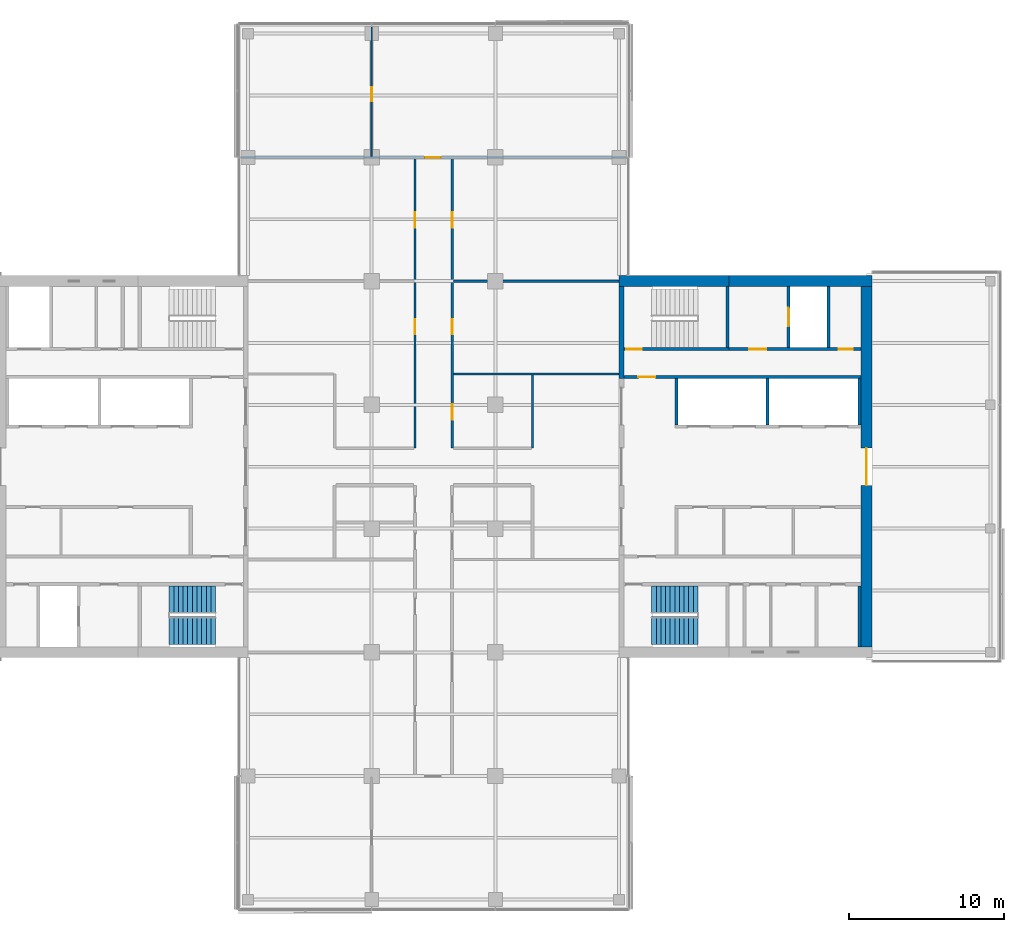
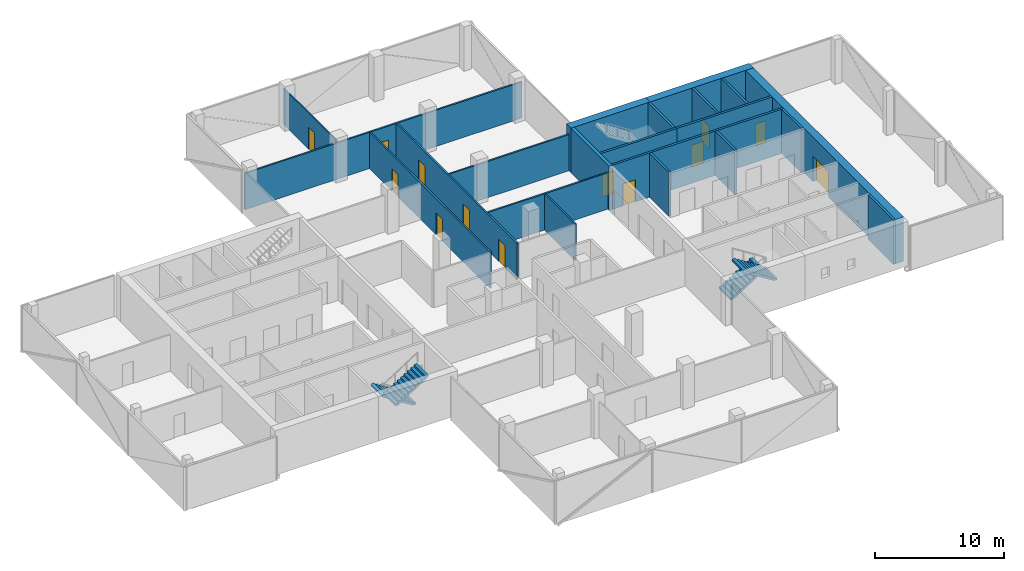
# One storey, part 16 of 22: 21 walls, 13 doors, 4 stair flights, 13 openings, 2 elements without a shape of their own.
"""IFC4 building model written with IfcOpenShell, lengths in metres."""

import ifcopenshell
import ifcopenshell.guid

model = None  # the IFC model being written
_history = None  # IfcOwnerHistory: only IFC2X3 demands one
_inside = {}  # id of a spatial element -> (the spatial element, [elements in it])
_under = {}  # id of a project, library or spatial element -> (it, [spatial elements below it])
_declared = {}  # id of a project -> (the project, [libraries it declares])
_typed = {}  # id of a type object -> (the type object, [elements of that type])
_made_of = {}  # id of a material, layer set ... -> (it, [elements and type objects made of it])


def new_model(schema):
    """Start an empty IFC model of exactly this schema.

    Asked for "IFC4X3", IfcOpenShell would pick the latest addendum, in which some entities
    have other attributes; the version numbers below select the first issue.
    IFC2X3 requires an IfcOwnerHistory on every rooted entity: one is made here for all.
    """
    global model, _history
    if schema == "IFC4X3":
        model = ifcopenshell.file(schema_version=(4, 3, 0, 0))
    else:
        model = ifcopenshell.file(schema=schema)
    _inside.clear()
    _under.clear()
    _declared.clear()
    _typed.clear()
    _made_of.clear()
    _history = None
    if model.schema == "IFC2X3":
        org = make("IfcOrganization", Name="unknown")
        user = make(
            "IfcPersonAndOrganization",
            ThePerson=make("IfcPerson", FamilyName="unknown"),
            TheOrganization=org,
        )
        app = make(
            "IfcApplication",
            ApplicationDeveloper=org,
            Version="unknown",
            ApplicationFullName="unknown",
            ApplicationIdentifier="unknown",
        )
        _history = make(
            "IfcOwnerHistory",
            OwningUser=user,
            OwningApplication=app,
            ChangeAction="ADDED",
            CreationDate=0,
        )
    return model


def make(cls, **values):
    """One entity of the class cls with the attributes given. An attribute that is None is left unset."""
    return model.create_entity(
        cls, **{name: value for name, value in values.items() if value is not None}
    )


def rooted(cls, **values):
    """An entity with a GlobalId (a new one), such as an element, a storey or a relation."""
    return make(cls, GlobalId=ifcopenshell.guid.new(), OwnerHistory=_history, **values)


def si_unit(unit_type, name, prefix=None):
    """IfcSIUnit, for example si_unit("LENGTHUNIT", "METRE", prefix="MILLI")."""
    return make("IfcSIUnit", UnitType=unit_type, Prefix=prefix, Name=name)


def assignment(units):
    """IfcUnitAssignment: the units of a project."""
    return None if units is None else make("IfcUnitAssignment", Units=units)


def point(xyz):
    """IfcCartesianPoint."""
    return None if xyz is None else make("IfcCartesianPoint", Coordinates=xyz)


def direction(xyz):
    """IfcDirection."""
    return None if xyz is None else make("IfcDirection", DirectionRatios=xyz)


def frame(location, z_axis=None, x_axis=None):
    """IfcAxis2Placement3D, a coordinate frame: its origin and axes. An axis left out is left unset."""
    return make(
        "IfcAxis2Placement3D",
        Location=point(location),
        Axis=direction(z_axis),
        RefDirection=direction(x_axis),
    )


def frame_2d(location, x_axis=None):
    """IfcAxis2Placement2D, a coordinate frame in the plane: its origin and x axis."""
    return make(
        "IfcAxis2Placement2D", Location=point(location), RefDirection=direction(x_axis)
    )


def origin():
    """The frame at (0, 0, 0) with its axes left unset."""
    return frame((0.0, 0.0, 0.0))


def place(relative_to, where):
    """IfcLocalPlacement: puts the frame where relative to a parent placement (None: the world)."""
    return make(
        "IfcLocalPlacement", PlacementRelTo=relative_to, RelativePlacement=where
    )


def context(
    kind, dimensions, precision=None, world=None, true_north=None, identifier=None
):
    """IfcGeometricRepresentationContext, for example the 3D "Model" context."""
    return make(
        "IfcGeometricRepresentationContext",
        ContextIdentifier=identifier,
        ContextType=kind,
        CoordinateSpaceDimension=dimensions,
        Precision=precision,
        WorldCoordinateSystem=world,
        TrueNorth=true_north,
    )


def subcontext(parent, identifier, kind, view, scale=None):
    """IfcGeometricRepresentationSubContext, for example "Body" below "Model"."""
    return make(
        "IfcGeometricRepresentationSubContext",
        ContextIdentifier=identifier,
        ContextType=kind,
        ParentContext=parent,
        TargetScale=scale,
        TargetView=view,
    )


def project(units=None, contexts=None):
    """IfcProject with its units and contexts."""
    return rooted(
        "IfcProject",
        Name="project",
        RepresentationContexts=contexts,
        UnitsInContext=assignment(units),
    )


def spatial(cls, under=None, at=None, **own):
    """A site, building, storey or space (cls), placed at a placement, below another one or the project."""
    s = rooted(cls, ObjectPlacement=at, **own)
    if under is not None:
        _under.setdefault(under.id(), (under, []))[1].append(s)
    return s


def polyline(points):
    """IfcPolyline through the points."""
    return make("IfcPolyline", Points=[point(p) for p in points])


def profile(cls, at=None, kind="AREA", **sizes):
    """A parametric profile (cls). Its sizes go by their IFC names, for example OverallWidth=200.0."""
    return make(cls, ProfileType=kind, Position=at, **sizes)


def rectangle(**sizes):
    """IfcRectangleProfileDef."""
    return profile("IfcRectangleProfileDef", **sizes)


def outline(outer, holes=None, kind="AREA"):
    """IfcArbitraryClosedProfileDef: a profile drawn as a closed curve; with holes, ...WithVoids."""
    if holes is None:
        return make("IfcArbitraryClosedProfileDef", ProfileType=kind, OuterCurve=outer)
    return make(
        "IfcArbitraryProfileDefWithVoids",
        ProfileType=kind,
        OuterCurve=outer,
        InnerCurves=holes,
    )


def extrude(swept, where, along, depth):
    """IfcExtrudedAreaSolid: the profile swept, set in the frame where, extruded along a direction by depth."""
    return make(
        "IfcExtrudedAreaSolid",
        SweptArea=swept,
        Position=where,
        ExtrudedDirection=direction(along),
        Depth=depth,
    )


def shape(context_of_items, identifier, shape_type, items):
    """IfcShapeRepresentation: the items that make up one representation, for example the "Body"."""
    return make(
        "IfcShapeRepresentation",
        ContextOfItems=context_of_items,
        RepresentationIdentifier=identifier,
        RepresentationType=shape_type,
        Items=items,
    )


def material(Name=None, Category=None):
    """IfcMaterial."""
    return make("IfcMaterial", Name=Name, Category=Category)


def layer(
    of_material, thickness, ventilated=None, Name=None, Category=None, Priority=None
):
    """IfcMaterialLayer: one layer of a wall or slab, of a material (None: an air gap)."""
    return make(
        "IfcMaterialLayer",
        Material=of_material,
        LayerThickness=thickness,
        IsVentilated=ventilated,
        Name=Name,
        Category=Category,
        Priority=Priority,
    )


def layer_set(layers, Name=None):
    """IfcMaterialLayerSet."""
    return make("IfcMaterialLayerSet", MaterialLayers=layers, LayerSetName=Name)


def constituent(of_material, Name=None, Category=None, fraction=None):
    """IfcMaterialConstituent: one of the materials an element consists of."""
    return make(
        "IfcMaterialConstituent",
        Name=Name,
        Material=of_material,
        Fraction=fraction,
        Category=Category,
    )


def constituent_set(constituents=None, Name=None):
    """IfcMaterialConstituentSet."""
    return make(
        "IfcMaterialConstituentSet", Name=Name, MaterialConstituents=constituents
    )


def made_of(thing, what):
    """Note that an element or type object is made of a material, layer set ...; save() writes the relation."""
    if what is not None:
        _made_of.setdefault(what.id(), (what, []))[1].append(thing)
    return thing


def type_object(cls, material=None, **own):
    """A type object (cls), such as IfcWallType, which elements share."""
    return made_of(rooted(cls, **own), material)


def element(
    cls,
    number,
    at=None,
    inside=None,
    cuts=None,
    type_object=None,
    material=None,
    context=None,
    identifier="Body",
    shape_type=None,
    held_by="IfcProductDefinitionShape",
    body=None,
    shapes=None,
    **own,
):
    """One element of the class cls, such as IfcWall. Its Tag is "e" and its number.

    at: its placement. inside: the storey or other place that contains it. cuts: it is an
    opening in that element (IfcRelVoidsElement). A single representation is given by context,
    identifier, shape_type and body (its items); several are given by shapes. held_by: the class
    of the entity that holds the representations. save() writes the other relations.
    """
    e = rooted(cls, Tag="e%d" % number, ObjectPlacement=at, **own)
    if body is not None:
        shapes = [shape(context, identifier, shape_type, body)]
    if shapes is not None:
        e.Representation = make(held_by, Representations=shapes)
    if inside is not None:
        _inside.setdefault(inside.id(), (inside, []))[1].append(e)
    if cuts is not None:
        rooted(
            "IfcRelVoidsElement", RelatingBuildingElement=cuts, RelatedOpeningElement=e
        )
    if type_object is not None:
        _typed.setdefault(type_object.id(), (type_object, []))[1].append(e)
    return made_of(e, material)


def fill(opening, filler):
    """IfcRelFillsElement: the door or window that sits in an opening."""
    return rooted(
        "IfcRelFillsElement",
        RelatingOpeningElement=opening,
        RelatedBuildingElement=filler,
    )


def aggregate(whole, parts):
    """IfcRelAggregates: a whole, such as a stair, and the parts it consists of."""
    return rooted("IfcRelAggregates", RelatingObject=whole, RelatedObjects=parts)


def save(model, path):
    """Write the relations noted so far, then the file.

    IfcRelAggregates (storeys below a building ...), IfcRelContainedInSpatialStructure (elements
    in a storey), IfcRelDefinesByType, IfcRelAssociatesMaterial and IfcRelDeclares: one each for
    every whole, place, type object, material and project.
    """
    for whole, parts in _under.values():
        aggregate(whole, parts)
    for where, things in _inside.values():
        rooted(
            "IfcRelContainedInSpatialStructure",
            RelatedElements=things,
            RelatingStructure=where,
        )
    for kind, things in _typed.values():
        rooted("IfcRelDefinesByType", RelatedObjects=things, RelatingType=kind)
    for what, things in _made_of.values():
        rooted("IfcRelAssociatesMaterial", RelatedObjects=things, RelatingMaterial=what)
    for by, libraries in _declared.values():
        rooted("IfcRelDeclares", RelatingContext=by, RelatedDefinitions=libraries)
    model.write(path)


model = new_model("IFC4")

# Units and contexts
model_context = context("Model", 3, precision=1e-05, world=origin(), true_north=direction((0.0, 1.0)))
body_context = subcontext(model_context, "Body", "Model", "MODEL_VIEW")
ifc_project = project(units=[si_unit("LENGTHUNIT", "METRE"), si_unit("AREAUNIT", "SQUARE_METRE"), si_unit("VOLUMEUNIT", "CUBIC_METRE"), si_unit("PLANEANGLEUNIT", "RADIAN"), si_unit("MASSUNIT", "GRAM", prefix="KILO")], contexts=[model_context])

# Site, building, storey
site_placement = place(None, origin())
site = spatial("IfcSite", under=ifc_project, at=site_placement, CompositionType="ELEMENT")
building_placement = place(site_placement, origin())
building = spatial("IfcBuilding", under=site, at=building_placement, Name="Crosswind Convention Tower", CompositionType="ELEMENT")
storey_placement = place(building_placement, frame((0.0, 0.0, 163.10009765625)))
storey = spatial("IfcBuildingStorey", under=building, at=storey_placement, Name="L34", CompositionType="ELEMENT", Elevation=163.10009765625)

# Wall, opening, door
ifc_material_1 = material(Name="Concrete C60/75", Category="concrete")
ifc_layer_1 = layer(ifc_material_1, 0.699951171875)
ifc_layer_set_1 = layer_set([ifc_layer_1], Name="Concrete C60/75")
wall_type_1 = type_object("IfcWallType", Name="Concrete core wall 700", PredefinedType="SHEAR", material=ifc_layer_set_1)
wall_1_placement = place(storey_placement, frame((153.0, 88.35009765625, 0.0), z_axis=(0.0, 0.0, 1.0), x_axis=(0.0, 1.0, 0.0)))
wall_1 = element("IfcWall", 1, at=wall_1_placement, inside=storey, type_object=wall_type_1, Name="Wall O E L34", PredefinedType="SHEAR", context=body_context, shape_type="SweptSolid", body=[
    extrude(rectangle(XDim=23.2998046875, YDim=0.699951171875, at=frame_2d((11.64990234375, 0.0))), origin(), (0.0, 0.0, 1.0), 4.199951171875),
])
opening_1_placement = place(wall_1_placement, frame((10.449951171875, 0.0, 0.0)))
opening_1 = element("IfcOpeningElement", 2, at=opening_1_placement, cuts=wall_1, Name="Opening D100", PredefinedType="OPENING", context=body_context, shape_type="SweptSolid", body=[
    extrude(rectangle(XDim=2.39990234375, YDim=2.39990234375, at=frame_2d((1.199951171875, 1.199951171875))), frame((0.0, 0.35986328125, 0.0), z_axis=(0.0, -1.0, 0.0), x_axis=(1.0, 0.0, 0.0)), (0.0, 0.0, 1.0), 0.719970703125),
])
ifc_material_2 = material(Name="Steel fire door with glazed vision panels", Category="steel")
door_type_1 = type_object("IfcDoorType", Name="Fire-rated double door 2400x2400", OperationType="DOUBLE_DOOR_SINGLE_SWING", PredefinedType="DOOR", material=ifc_material_2)
door_1_placement = place(opening_1_placement, frame((2.39990234375, 0.0, 0.0), z_axis=(0.0, 0.0, 1.0), x_axis=(-1.0, 0.0, 0.0)))
door_1 = element("IfcDoor", 3, at=door_1_placement, inside=storey, type_object=door_type_1, Name="Lobby outer door L34", ObjectType="D100", OperationType="DOUBLE_DOOR_SINGLE_SWING", OverallHeight=2.39990234375, OverallWidth=2.39990234375, PredefinedType="DOOR", context=body_context, shape_type="SweptSolid", body=[
    extrude(rectangle(XDim=2.39990234375, YDim=2.39990234375, at=frame_2d((1.199951171875, 1.199951171875))), frame((0.0, 0.02490234375, 0.0), z_axis=(0.0, -1.0, 0.0), x_axis=(1.0, 0.0, 0.0)), (0.0, 0.0, 1.0), 0.050048828125),
])
fill(opening_1, door_1)

# Walls
ifc_material_3 = material(Name="Concrete C50/60", Category="concrete")
ifc_layer_2 = layer(ifc_material_3, 0.300048828125)
ifc_layer_set_2 = layer_set([ifc_layer_2], Name="Concrete C50/60")
wall_type_2 = type_object("IfcWallType", Name="Concrete inner core wall 300", PredefinedType="SHEAR", material=ifc_layer_set_2)
wall_2_placement = place(storey_placement, frame((137.14990234375, 105.699951171875, 0.0), z_axis=(0.0, 0.0, 1.0), x_axis=(0.0, 1.0, 0.0)))
element("IfcWall", 4, at=wall_2_placement, inside=storey, type_object=wall_type_2, Name="Wall EP E L34", PredefinedType="SHEAR", context=body_context, shape_type="SweptSolid", body=[
    extrude(rectangle(XDim=5.949951171875, YDim=0.300048828125, at=frame_2d((2.97509765625, 0.0))), origin(), (0.0, 0.0, 1.0), 4.199951171875),
])
ifc_layer_3 = layer(ifc_material_3, 0.199951171875)
ifc_layer_set_3 = layer_set([ifc_layer_3], Name="Concrete C50/60")
wall_type_3 = type_object("IfcWallType", Name="Concrete shaft and stair wall 200", PredefinedType="SHEAR", material=ifc_layer_set_3)
for number, where, z_axis, x_axis, name in (
    (5, (140.699951171875, 102.699951171875, 0.0), (0.0, 0.0, 1.0), (0.0, 1.0, 0.0), "Wall RPEND E L34"),
    (6, (146.60009765625, 102.699951171875, 0.0), (0.0, 0.0, 1.0), (0.0, 1.0, 0.0), "Wall RPSEP E L34"),
    (7, (152.550048828125, 102.699951171875, 0.0), (0.0, 0.0, 1.0), (0.0, 1.0, 0.0), "Wall RPEAST E L34"),
):
    element("IfcWall", number, at=place(storey_placement, frame(where, z_axis=z_axis, x_axis=x_axis)), inside=storey, type_object=wall_type_3, Name=name, PredefinedType="SHEAR", context=body_context, shape_type="SweptSolid", body=[
        extrude(rectangle(XDim=3.0, YDim=0.199951171875, at=frame_2d((1.5, 0.0))), origin(), (0.0, 0.0, 1.0), 4.199951171875),
    ])

# Wall, opening, door
wall_3_placement = place(storey_placement, frame((137.300048828125, 105.800048828125, 0.0), z_axis=(0.0, 0.0, 1.0), x_axis=(1.0, 0.0, 0.0)))
wall_3 = element("IfcWall", 8, at=wall_3_placement, inside=storey, type_object=wall_type_3, Name="Wall HP E L34", PredefinedType="SHEAR", context=body_context, shape_type="SweptSolid", body=[
    extrude(rectangle(XDim=15.349853515625, YDim=0.199951171875, at=frame_2d((7.6748046875, 0.0))), origin(), (0.0, 0.0, 1.0), 4.199951171875),
])
opening_2_placement = place(wall_3_placement, frame((0.949951171875, 0.0, 0.0)))
opening_2 = element("IfcOpeningElement", 9, at=opening_2_placement, cuts=wall_3, Name="Opening D104", PredefinedType="OPENING", context=body_context, shape_type="SweptSolid", body=[
    extrude(rectangle(XDim=1.10009765625, YDim=2.10009765625, at=frame_2d((0.550048828125, 1.050048828125))), frame((0.0, 0.10986328125, 0.0), z_axis=(0.0, -1.0, 0.0), x_axis=(1.0, 0.0, 0.0)), (0.0, 0.0, 1.0), 0.219970703125),
])
ifc_material_4 = material(Name="Steel fire door", Category="steel")
door_type_2 = type_object("IfcDoorType", Name="Fire-rated single door 1100x2100", OperationType="NOTDEFINED", PredefinedType="DOOR", material=ifc_material_4)
door_2_placement = place(opening_2_placement, origin())
door_2 = element("IfcDoor", 10, at=door_2_placement, inside=storey, type_object=door_type_2, Name="Corridor door L34", ObjectType="D104", OperationType="SINGLE_SWING_LEFT", OverallHeight=2.10009765625, OverallWidth=1.10009765625, PredefinedType="DOOR", context=body_context, shape_type="SweptSolid", body=[
    extrude(rectangle(XDim=1.10009765625, YDim=2.10009765625, at=frame_2d((0.550048828125, 1.050048828125))), frame((0.0, 0.02490234375, 0.0), z_axis=(0.0, -1.0, 0.0), x_axis=(1.0, 0.0, 0.0)), (0.0, 0.0, 1.0), 0.050048828125),
])
fill(opening_2, door_2)

# Wall
wall_4_placement = place(storey_placement, frame((144.0, 107.699951171875, 0.0), z_axis=(0.0, 0.0, 1.0), x_axis=(0.0, 1.0, 0.0)))
element("IfcWall", 11, at=wall_4_placement, inside=storey, type_object=wall_type_3, Name="Wall PSE E L34", PredefinedType="SHEAR", context=body_context, shape_type="SweptSolid", body=[
    extrude(rectangle(XDim=3.949951171875, YDim=0.199951171875, at=frame_2d((1.97509765625, 0.0))), origin(), (0.0, 0.0, 1.0), 4.199951171875),
])

# Wall, opening, door
wall_5_placement = place(storey_placement, frame((147.949951171875, 107.699951171875, 0.0), z_axis=(0.0, 0.0, 1.0), x_axis=(0.0, 1.0, 0.0)))
wall_5 = element("IfcWall", 12, at=wall_5_placement, inside=storey, type_object=wall_type_3, Name="Wall PFLW E L34", PredefinedType="SHEAR", context=body_context, shape_type="SweptSolid", body=[
    extrude(rectangle(XDim=3.949951171875, YDim=0.199951171875, at=frame_2d((1.97509765625, 0.0))), origin(), (0.0, 0.0, 1.0), 4.199951171875),
])
opening_3_placement = place(wall_5_placement, frame((1.375, 0.0, 0.0)))
opening_3 = element("IfcOpeningElement", 13, at=opening_3_placement, cuts=wall_5, Name="Opening LD1", PredefinedType="OPENING", context=body_context, shape_type="SweptSolid", body=[
    extrude(rectangle(XDim=1.199951171875, YDim=2.10009765625, at=frame_2d((0.60009765625, 1.050048828125))), frame((0.0, 0.10986328125, 0.0), z_axis=(0.0, -1.0, 0.0), x_axis=(1.0, 0.0, 0.0)), (0.0, 0.0, 1.0), 0.219970703125),
])
ifc_material_5 = material(Name="Stainless steel", Category="steel")
door_type_3 = type_object("IfcDoorType", Name="Lift landing door 1200x2100", OperationType="DOUBLE_DOOR_SLIDING", PredefinedType="DOOR", material=ifc_material_5)
door_3_placement = place(opening_3_placement, origin())
door_3 = element("IfcDoor", 14, at=door_3_placement, inside=storey, type_object=door_type_3, Name="Landing door FF1 L34", ObjectType="LD1", OperationType="DOUBLE_DOOR_SLIDING", OverallHeight=2.10009765625, OverallWidth=1.199951171875, PredefinedType="DOOR", context=body_context, shape_type="SweptSolid", body=[
    extrude(rectangle(XDim=1.199951171875, YDim=2.10009765625, at=frame_2d((0.60009765625, 1.050048828125))), frame((0.0, 0.02490234375, 0.0), z_axis=(0.0, -1.0, 0.0), x_axis=(1.0, 0.0, 0.0)), (0.0, 0.0, 1.0), 0.050048828125),
])
fill(opening_3, door_3)

# Wall
wall_6_placement = place(storey_placement, frame((150.550048828125, 107.699951171875, 0.0), z_axis=(0.0, 0.0, 1.0), x_axis=(0.0, 1.0, 0.0)))
element("IfcWall", 15, at=wall_6_placement, inside=storey, type_object=wall_type_3, Name="Wall PFSE E L34", PredefinedType="SHEAR", context=body_context, shape_type="SweptSolid", body=[
    extrude(rectangle(XDim=3.949951171875, YDim=0.199951171875, at=frame_2d((1.97509765625, 0.0))), origin(), (0.0, 0.0, 1.0), 4.199951171875),
])

# Wall, opening, door
wall_7_placement = place(storey_placement, frame((137.300048828125, 107.60009765625, 0.0), z_axis=(0.0, 0.0, 1.0), x_axis=(1.0, 0.0, 0.0)))
wall_7 = element("IfcWall", 16, at=wall_7_placement, inside=storey, type_object=wall_type_3, Name="Wall PCW E L34", PredefinedType="SHEAR", context=body_context, shape_type="SweptSolid", body=[
    extrude(rectangle(XDim=6.800048828125, YDim=0.199951171875, at=frame_2d((3.39990234375, 0.0))), origin(), (0.0, 0.0, 1.0), 4.199951171875),
])
opening_4_placement = place(wall_7_placement, frame((0.14990234375, 0.0, 0.0)))
opening_4 = element("IfcOpeningElement", 17, at=opening_4_placement, cuts=wall_7, Name="Opening D103", PredefinedType="OPENING", context=body_context, shape_type="SweptSolid", body=[
    extrude(rectangle(XDim=1.0, YDim=2.10009765625, at=frame_2d((0.5, 1.050048828125))), frame((0.0, 0.10986328125, 0.0), z_axis=(0.0, -1.0, 0.0), x_axis=(1.0, 0.0, 0.0)), (0.0, 0.0, 1.0), 0.219970703125),
])
door_type_4 = type_object("IfcDoorType", Name="Fire-rated single door 1000x2100", OperationType="NOTDEFINED", PredefinedType="DOOR", material=ifc_material_4)
door_4_placement = place(opening_4_placement, origin())
door_4 = element("IfcDoor", 18, at=door_4_placement, inside=storey, type_object=door_type_4, Name="Stair ST1 door L34", ObjectType="D103", OperationType="SINGLE_SWING_LEFT", OverallHeight=2.10009765625, OverallWidth=1.0, PredefinedType="DOOR", context=body_context, shape_type="SweptSolid", body=[
    extrude(rectangle(XDim=1.0, YDim=2.10009765625, at=frame_2d((0.5, 1.050048828125))), frame((0.0, 0.02490234375, 0.0), z_axis=(0.0, -1.0, 0.0), x_axis=(1.0, 0.0, 0.0)), (0.0, 0.0, 1.0), 0.050048828125),
])
fill(opening_4, door_4)

# Wall, openings, doors
wall_8_placement = place(storey_placement, frame((144.10009765625, 107.60009765625, 0.0), z_axis=(0.0, 0.0, 1.0), x_axis=(1.0, 0.0, 0.0)))
wall_8 = element("IfcWall", 19, at=wall_8_placement, inside=storey, type_object=wall_type_3, Name="Wall PCX E L34", PredefinedType="SHEAR", context=body_context, shape_type="SweptSolid", body=[
    extrude(rectangle(XDim=8.5498046875, YDim=0.199951171875, at=frame_2d((4.27490234375, 0.0))), origin(), (0.0, 0.0, 1.0), 4.199951171875),
])
opening_5_placement = place(wall_8_placement, frame((1.324951171875, 0.0, 0.0)))
opening_5 = element("IfcOpeningElement", 20, at=opening_5_placement, cuts=wall_8, Name="Opening D104", PredefinedType="OPENING", context=body_context, shape_type="SweptSolid", body=[
    extrude(rectangle(XDim=1.10009765625, YDim=2.10009765625, at=frame_2d((0.550048828125, 1.050048828125))), frame((0.0, 0.10986328125, 0.0), z_axis=(0.0, -1.0, 0.0), x_axis=(1.0, 0.0, 0.0)), (0.0, 0.0, 1.0), 0.219970703125),
])
opening_6_placement = place(wall_8_placement, frame((7.10009765625, 0.0, 0.0)))
opening_6 = element("IfcOpeningElement", 21, at=opening_6_placement, cuts=wall_8, Name="Opening D106", PredefinedType="OPENING", context=body_context, shape_type="SweptSolid", body=[
    extrude(rectangle(XDim=0.89990234375, YDim=2.10009765625, at=frame_2d((0.449951171875, 1.050048828125))), frame((0.0, 0.10986328125, 0.0), z_axis=(0.0, -1.0, 0.0), x_axis=(1.0, 0.0, 0.0)), (0.0, 0.0, 1.0), 0.219970703125),
])
door_5_placement = place(opening_5_placement, origin())
door_5 = element("IfcDoor", 22, at=door_5_placement, inside=storey, type_object=door_type_2, Name="Fire-fighting lobby FF1 door L34", ObjectType="D104", OperationType="SINGLE_SWING_RIGHT", OverallHeight=2.10009765625, OverallWidth=1.10009765625, PredefinedType="DOOR", context=body_context, shape_type="SweptSolid", body=[
    extrude(rectangle(XDim=1.10009765625, YDim=2.10009765625, at=frame_2d((0.550048828125, 1.050048828125))), frame((0.0, 0.02490234375, 0.0), z_axis=(0.0, -1.0, 0.0), x_axis=(1.0, 0.0, 0.0)), (0.0, 0.0, 1.0), 0.050048828125),
])
fill(opening_5, door_5)
ifc_material_6 = material(Name="Timber door", Category="wood")
door_type_5 = type_object("IfcDoorType", Name="Single leaf door 900x2100", OperationType="NOTDEFINED", PredefinedType="DOOR", material=ifc_material_6)
door_6_placement = place(opening_6_placement, origin())
door_6 = element("IfcDoor", 23, at=door_6_placement, inside=storey, type_object=door_type_5, Name="Door to comms room L34", ObjectType="D106", OperationType="SINGLE_SWING_RIGHT", OverallHeight=2.10009765625, OverallWidth=0.89990234375, PredefinedType="DOOR", context=body_context, shape_type="SweptSolid", body=[
    extrude(rectangle(XDim=0.89990234375, YDim=2.10009765625, at=frame_2d((0.449951171875, 1.050048828125))), frame((0.0, 0.02490234375, 0.0), z_axis=(0.0, -1.0, 0.0), x_axis=(1.0, 0.0, 0.0)), (0.0, 0.0, 1.0), 0.050048828125),
])
fill(opening_6, door_6)

# Wall
wall_9_placement = place(storey_placement, frame((152.550048828125, 88.35009765625, 0.0), z_axis=(0.0, 0.0, 1.0), x_axis=(0.0, 1.0, 0.0)))
element("IfcWall", 24, at=wall_9_placement, inside=storey, type_object=wall_type_3, Name="Wall MFSE E L34", PredefinedType="SHEAR", context=body_context, shape_type="SweptSolid", body=[
    extrude(rectangle(XDim=3.949951171875, YDim=0.199951171875, at=frame_2d((1.97509765625, 0.0))), origin(), (0.0, 0.0, 1.0), 4.199951171875),
])

# Wall, opening, door
ifc_material_7 = material(Name="Plasterboard partition", Category="gypsum")
ifc_layer_4 = layer(ifc_material_7, 0.10009765625)
ifc_layer_set_4 = layer_set([ifc_layer_4], Name="PARTITION 100 METAL STUD")
wall_type_4 = type_object("IfcWallType", Name="PARTITION 100 METAL STUD", PredefinedType="PARTITIONING", material=ifc_layer_set_4)
wall_10_placement = place(storey_placement, frame((121.0, 120.074951171875, 0.0), z_axis=(0.0, 0.0, 1.0), x_axis=(0.0, 1.0, 0.0)))
wall_10 = element("IfcWall", 25, at=wall_10_placement, inside=storey, type_object=wall_type_4, Name="Partition wall WT40", PredefinedType="PARTITIONING", context=body_context, shape_type="SweptSolid", body=[
    extrude(rectangle(XDim=8.344970703125, YDim=0.10009765625, at=frame_2d((4.17236328125, 0.0))), origin(), (0.0, 0.0, 1.0), 3.436279296875),
])
opening_7_placement = place(wall_10_placement, frame((3.550048828125, 0.0, 0.0)))
opening_7 = element("IfcOpeningElement", 26, at=opening_7_placement, cuts=wall_10, Name="Opening L34-63", PredefinedType="OPENING", context=body_context, shape_type="SweptSolid", body=[
    extrude(rectangle(XDim=0.89990234375, YDim=2.10009765625, at=frame_2d((0.449951171875, 1.050048828125))), frame((0.0, 0.06005859375, 0.0), z_axis=(0.0, -1.0, 0.0), x_axis=(1.0, 0.0, 0.0)), (0.0, 0.0, 1.0), 0.1201171875),
])
door_type_6 = type_object("IfcDoorType", Name="INTERNAL DOOR 900X2100", OperationType="NOTDEFINED", PredefinedType="DOOR", material=ifc_material_6)
door_7_placement = place(opening_7_placement, origin())
door_7 = element("IfcDoor", 27, at=door_7_placement, inside=storey, type_object=door_type_6, Name="Door L34-63", ObjectType="D40", OperationType="SINGLE_SWING_RIGHT", OverallHeight=2.10009765625, OverallWidth=0.89990234375, PredefinedType="DOOR", context=body_context, shape_type="SweptSolid", body=[
    extrude(rectangle(XDim=0.89990234375, YDim=2.10009765625, at=frame_2d((0.449951171875, 1.050048828125))), frame((0.0, 0.02490234375, 0.0), z_axis=(0.0, -1.0, 0.0), x_axis=(1.0, 0.0, 0.0)), (0.0, 0.0, 1.0), 0.050048828125),
])
fill(opening_7, door_7)

# Wall, openings, doors
ifc_material_8 = material(Name="Fire-board partition with mineral wool", Category="gypsum")
ifc_layer_5 = layer(ifc_material_8, 0.14990234375)
ifc_layer_set_5 = layer_set([ifc_layer_5], Name="TENANCY WALL 150 TWO-HOUR BOARD")
wall_type_5 = type_object("IfcWallType", Name="TENANCY WALL 150 TWO-HOUR BOARD", PredefinedType="PARTITIONING", material=ifc_layer_set_5)
wall_11_placement = place(storey_placement, frame((123.800048828125, 101.199951171875, 0.0), z_axis=(0.0, 0.0, 1.0), x_axis=(0.0, 1.0, 0.0)))
wall_11 = element("IfcWall", 28, at=wall_11_placement, inside=storey, type_object=wall_type_5, Name="Tenancy wall WT41", PredefinedType="PARTITIONING", context=body_context, shape_type="SweptSolid", body=[
    extrude(rectangle(XDim=18.72509765625, YDim=0.14990234375, at=frame_2d((9.362548828125, 0.0))), origin(), (0.0, 0.0, 1.0), 3.436279296875),
])
opening_8_placement = place(wall_11_placement, frame((7.35009765625, 0.0, 0.0)))
opening_8 = element("IfcOpeningElement", 29, at=opening_8_placement, cuts=wall_11, Name="Opening L34-56", PredefinedType="OPENING", context=body_context, shape_type="SweptSolid", body=[
    extrude(rectangle(XDim=1.0, YDim=2.10009765625, at=frame_2d((0.5, 1.050048828125))), frame((0.0, 0.0849609375, 0.0), z_axis=(0.0, -1.0, 0.0), x_axis=(1.0, 0.0, 0.0)), (0.0, 0.0, 1.0), 0.169921875),
])
opening_9_placement = place(wall_11_placement, frame((14.25, 0.0, 0.0)))
opening_9 = element("IfcOpeningElement", 30, at=opening_9_placement, cuts=wall_11, Name="Opening L34-57", PredefinedType="OPENING", context=body_context, shape_type="SweptSolid", body=[
    extrude(rectangle(XDim=1.0, YDim=2.10009765625, at=frame_2d((0.5, 1.050048828125))), frame((0.0, 0.0849609375, 0.0), z_axis=(0.0, -1.0, 0.0), x_axis=(1.0, 0.0, 0.0)), (0.0, 0.0, 1.0), 0.169921875),
])
ifc_material_9 = material(Name="Timber fire door", Category="wood")
door_type_7 = type_object("IfcDoorType", Name="TENANCY ENTRANCE DOOR 1000X2100 FD30S", OperationType="NOTDEFINED", PredefinedType="DOOR", material=ifc_material_9)
door_8_placement = place(opening_8_placement, origin())
door_8 = element("IfcDoor", 31, at=door_8_placement, inside=storey, type_object=door_type_7, Name="Door L34-56", ObjectType="D41", OperationType="SINGLE_SWING_RIGHT", OverallHeight=2.10009765625, OverallWidth=1.0, PredefinedType="DOOR", context=body_context, shape_type="SweptSolid", body=[
    extrude(rectangle(XDim=1.0, YDim=2.10009765625, at=frame_2d((0.5, 1.050048828125))), frame((0.0, 0.02490234375, 0.0), z_axis=(0.0, -1.0, 0.0), x_axis=(1.0, 0.0, 0.0)), (0.0, 0.0, 1.0), 0.050048828125),
])
fill(opening_8, door_8)
door_9_placement = place(opening_9_placement, origin())
door_9 = element("IfcDoor", 32, at=door_9_placement, inside=storey, type_object=door_type_7, Name="Door L34-57", ObjectType="D41", OperationType="SINGLE_SWING_LEFT", OverallHeight=2.10009765625, OverallWidth=1.0, PredefinedType="DOOR", context=body_context, shape_type="SweptSolid", body=[
    extrude(rectangle(XDim=1.0, YDim=2.10009765625, at=frame_2d((0.5, 1.050048828125))), frame((0.0, 0.02490234375, 0.0), z_axis=(0.0, -1.0, 0.0), x_axis=(1.0, 0.0, 0.0)), (0.0, 0.0, 1.0), 0.050048828125),
])
fill(opening_9, door_9)

wall_12_placement = place(storey_placement, frame((126.199951171875, 101.199951171875, 0.0), z_axis=(0.0, 0.0, 1.0), x_axis=(0.0, 1.0, 0.0)))
wall_12 = element("IfcWall", 33, at=wall_12_placement, inside=storey, type_object=wall_type_5, Name="Tenancy wall WT41", PredefinedType="PARTITIONING", context=body_context, shape_type="SweptSolid", body=[
    extrude(rectangle(XDim=18.72509765625, YDim=0.14990234375, at=frame_2d((9.362548828125, 0.0))), origin(), (0.0, 0.0, 1.0), 3.436279296875),
])
opening_10_placement = place(wall_12_placement, frame((1.85009765625, 0.0, 0.0)))
opening_10 = element("IfcOpeningElement", 34, at=opening_10_placement, cuts=wall_12, Name="Opening L34-50", PredefinedType="OPENING", context=body_context, shape_type="SweptSolid", body=[
    extrude(rectangle(XDim=1.0, YDim=2.10009765625, at=frame_2d((0.5, 1.050048828125))), frame((0.0, 0.0849609375, 0.0), z_axis=(0.0, -1.0, 0.0), x_axis=(1.0, 0.0, 0.0)), (0.0, 0.0, 1.0), 0.169921875),
])
opening_11_placement = place(wall_12_placement, frame((7.35009765625, 0.0, 0.0)))
opening_11 = element("IfcOpeningElement", 35, at=opening_11_placement, cuts=wall_12, Name="Opening L34-51", PredefinedType="OPENING", context=body_context, shape_type="SweptSolid", body=[
    extrude(rectangle(XDim=1.0, YDim=2.10009765625, at=frame_2d((0.5, 1.050048828125))), frame((0.0, 0.0849609375, 0.0), z_axis=(0.0, -1.0, 0.0), x_axis=(1.0, 0.0, 0.0)), (0.0, 0.0, 1.0), 0.169921875),
])
opening_12_placement = place(wall_12_placement, frame((14.25, 0.0, 0.0)))
opening_12 = element("IfcOpeningElement", 36, at=opening_12_placement, cuts=wall_12, Name="Opening L34-52", PredefinedType="OPENING", context=body_context, shape_type="SweptSolid", body=[
    extrude(rectangle(XDim=1.0, YDim=2.10009765625, at=frame_2d((0.5, 1.050048828125))), frame((0.0, 0.0849609375, 0.0), z_axis=(0.0, -1.0, 0.0), x_axis=(1.0, 0.0, 0.0)), (0.0, 0.0, 1.0), 0.169921875),
])
door_10_placement = place(opening_10_placement, frame((1.0, 0.0, 0.0), z_axis=(0.0, 0.0, 1.0), x_axis=(-1.0, 0.0, 0.0)))
door_10 = element("IfcDoor", 37, at=door_10_placement, inside=storey, type_object=door_type_7, Name="Door L34-50", ObjectType="D41", OperationType="SINGLE_SWING_RIGHT", OverallHeight=2.10009765625, OverallWidth=1.0, PredefinedType="DOOR", context=body_context, shape_type="SweptSolid", body=[
    extrude(rectangle(XDim=1.0, YDim=2.10009765625, at=frame_2d((0.5, 1.050048828125))), frame((0.0, 0.02490234375, 0.0), z_axis=(0.0, -1.0, 0.0), x_axis=(1.0, 0.0, 0.0)), (0.0, 0.0, 1.0), 0.050048828125),
])
fill(opening_10, door_10)
door_11_placement = place(opening_11_placement, frame((1.0, 0.0, 0.0), z_axis=(0.0, 0.0, 1.0), x_axis=(-1.0, 0.0, 0.0)))
door_11 = element("IfcDoor", 38, at=door_11_placement, inside=storey, type_object=door_type_7, Name="Door L34-51", ObjectType="D41", OperationType="SINGLE_SWING_LEFT", OverallHeight=2.10009765625, OverallWidth=1.0, PredefinedType="DOOR", context=body_context, shape_type="SweptSolid", body=[
    extrude(rectangle(XDim=1.0, YDim=2.10009765625, at=frame_2d((0.5, 1.050048828125))), frame((0.0, 0.02490234375, 0.0), z_axis=(0.0, -1.0, 0.0), x_axis=(1.0, 0.0, 0.0)), (0.0, 0.0, 1.0), 0.050048828125),
])
fill(opening_11, door_11)
door_12_placement = place(opening_12_placement, frame((1.0, 0.0, 0.0), z_axis=(0.0, 0.0, 1.0), x_axis=(-1.0, 0.0, 0.0)))
door_12 = element("IfcDoor", 39, at=door_12_placement, inside=storey, type_object=door_type_7, Name="Door L34-52", ObjectType="D41", OperationType="SINGLE_SWING_RIGHT", OverallHeight=2.10009765625, OverallWidth=1.0, PredefinedType="DOOR", context=body_context, shape_type="SweptSolid", body=[
    extrude(rectangle(XDim=1.0, YDim=2.10009765625, at=frame_2d((0.5, 1.050048828125))), frame((0.0, 0.02490234375, 0.0), z_axis=(0.0, -1.0, 0.0), x_axis=(1.0, 0.0, 0.0)), (0.0, 0.0, 1.0), 0.050048828125),
])
fill(opening_12, door_12)

# Walls
wall_13_placement = place(storey_placement, frame((131.39990234375, 101.199951171875, 0.0), z_axis=(0.0, 0.0, 1.0), x_axis=(0.0, 1.0, 0.0)))
element("IfcWall", 40, at=wall_13_placement, inside=storey, type_object=wall_type_5, Name="Tenancy wall WT41", PredefinedType="PARTITIONING", context=body_context, shape_type="SweptSolid", body=[
    extrude(rectangle(XDim=4.72509765625, YDim=0.14990234375, at=frame_2d((2.362548828125, 0.0))), origin(), (0.0, 0.0, 1.0), 3.436279296875),
])
for number, where, z_axis, x_axis, name in (
    (41, (126.27490234375, 106.0, 0.0), (0.0, 0.0, 1.0), (1.0, 0.0, 0.0), "Tenancy wall WT41"),
    (42, (126.27490234375, 112.0, 0.0), (0.0, 0.0, 1.0), (1.0, 0.0, 0.0), "Tenancy wall WT41"),
):
    element("IfcWall", number, at=place(storey_placement, frame(where, z_axis=z_axis, x_axis=x_axis)), inside=storey, type_object=wall_type_5, Name=name, PredefinedType="PARTITIONING", context=body_context, shape_type="SweptSolid", body=[
        extrude(rectangle(XDim=10.72509765625, YDim=0.14990234375, at=frame_2d((5.362548828125, 0.0))), origin(), (0.0, 0.0, 1.0), 3.436279296875),
    ])

# Wall, opening, door
wall_14_placement = place(storey_placement, frame((112.580078125, 120.0, 0.0), z_axis=(0.0, 0.0, 1.0), x_axis=(1.0, 0.0, 0.0)))
wall_14 = element("IfcWall", 43, at=wall_14_placement, inside=storey, type_object=wall_type_5, Name="Tenancy wall WT41", PredefinedType="PARTITIONING", context=body_context, shape_type="SweptSolid", body=[
    extrude(rectangle(XDim=24.83984375, YDim=0.14990234375, at=frame_2d((12.419921875, 0.0))), origin(), (0.0, 0.0, 1.0), 3.436279296875),
])
opening_13_placement = place(wall_14_placement, frame((11.8701171875, 0.0, 0.0)))
opening_13 = element("IfcOpeningElement", 44, at=opening_13_placement, cuts=wall_14, Name="Opening L34-62", PredefinedType="OPENING", context=body_context, shape_type="SweptSolid", body=[
    extrude(rectangle(XDim=1.0, YDim=2.10009765625, at=frame_2d((0.5, 1.050048828125))), frame((0.0, 0.0849609375, 0.0), z_axis=(0.0, -1.0, 0.0), x_axis=(1.0, 0.0, 0.0)), (0.0, 0.0, 1.0), 0.169921875),
])
door_13_placement = place(opening_13_placement, origin())
door_13 = element("IfcDoor", 45, at=door_13_placement, inside=storey, type_object=door_type_7, Name="Door L34-62", ObjectType="D41", OperationType="SINGLE_SWING_LEFT", OverallHeight=2.10009765625, OverallWidth=1.0, PredefinedType="DOOR", context=body_context, shape_type="SweptSolid", body=[
    extrude(rectangle(XDim=1.0, YDim=2.10009765625, at=frame_2d((0.5, 1.050048828125))), frame((0.0, 0.02490234375, 0.0), z_axis=(0.0, -1.0, 0.0), x_axis=(1.0, 0.0, 0.0)), (0.0, 0.0, 1.0), 0.050048828125),
])
fill(opening_13, door_13)

# Walls
ifc_constituent_1 = constituent(ifc_material_1, Name="Structure")
ifc_material_10 = material(Name="Terracotta rainscreen", Category="ceramic")
ifc_constituent_2 = constituent(ifc_material_10, Name="Facing")
ifc_constituent_set = constituent_set(constituents=[ifc_constituent_1, ifc_constituent_2], Name="Concrete C60/75, Terracotta rainscreen")
wall_type_6 = type_object("IfcWallType", Name="Terracotta rainscreen on concrete core wall 700", PredefinedType="SHEAR", material=ifc_constituent_set)
wall_15_placement = place(storey_placement, frame((137.0, 112.0, 0.0), z_axis=(0.0, 0.0, 1.0), x_axis=(1.0, 0.0, 0.0)))
element("IfcWall", 46, at=wall_15_placement, inside=storey, type_object=wall_type_6, Name="Wall N1 E L34", PredefinedType="SHEAR", context=body_context, shape_type="SweptSolid", body=[
    extrude(rectangle(XDim=7.10009765625, YDim=0.699951171875, at=frame_2d((3.550048828125, 0.0))), origin(), (0.0, 0.0, 1.0), 4.199951171875),
])
wall_16_placement = place(storey_placement, frame((144.10009765625, 112.0, 0.0), z_axis=(0.0, 0.0, 1.0), x_axis=(1.0, 0.0, 0.0)))
element("IfcWall", 47, at=wall_16_placement, inside=storey, type_object=wall_type_6, Name="Wall N2 E L34", PredefinedType="SHEAR", context=body_context, shape_type="SweptSolid", body=[
    extrude(rectangle(XDim=9.25, YDim=0.699951171875, at=frame_2d((4.625, 0.0))), origin(), (0.0, 0.0, 1.0), 4.199951171875),
])

# Stair, stair flights
ifc_material_11 = material(Name="Concrete C40/50", Category="concrete")
stair_type = type_object("IfcStairType", Name="Exit stair 1800 wide, 2 flights of 11 risers", PredefinedType="HALF_TURN_STAIR", material=ifc_material_11)
stair_1_placement = place(storey_placement, origin())
stair_1 = element("IfcStair", 48, at=stair_1_placement, inside=storey, type_object=stair_type, Name="Exit stair ST2 L34", ObjectType="ST5", PredefinedType="HALF_TURN_STAIR")
stair_flight_type = type_object("IfcStairFlightType", Name="Stair flight 1800 wide, 11 risers (SF4)", PredefinedType="STRAIGHT", material=ifc_material_11)
stair_flight_1_placement = place(storey_placement, frame((139.10009765625, 91.39990234375, 0.0), z_axis=(0.0, 0.0, 1.0), x_axis=(1.0, 0.0, 0.0)))
stair_flight_1 = element("IfcStairFlight", 49, at=stair_flight_1_placement, type_object=stair_flight_type, Name="ST2 flight 1", NumberOfRisers=11, NumberOfTreads=10, PredefinedType="STRAIGHT", RiserHeight=0.190909091, TreadLength=0.3, context=body_context, shape_type="SweptSolid", body=[
    extrude(outline(polyline([(0.0, 0.0), (0.0, 0.19091796875), (0.300048828125, 0.19091796875), (0.300048828125, 0.3818359375), (0.60009765625, 0.3818359375), (0.60009765625, 0.57275390625), (0.89990234375, 0.57275390625), (0.89990234375, 0.763671875), (1.199951171875, 0.763671875), (1.199951171875, 0.95458984375), (1.5, 0.95458984375), (1.5, 1.1455078125), (1.800048828125, 1.1455078125), (1.800048828125, 1.33642578125), (2.10009765625, 1.33642578125), (2.10009765625, 1.52734375), (2.39990234375, 1.52734375), (2.39990234375, 1.71826171875), (2.699951171875, 1.71826171875), (2.699951171875, 1.9091796875), (3.0, 1.9091796875), (3.0, 2.10009765625), (3.0, 1.7314453125), (0.279296875, 0.0), (0.0, 0.0)])), frame((0.0, 0.89990234375, 0.0), z_axis=(0.0, -1.0, 0.0), x_axis=(1.0, 0.0, 0.0)), (0.0, 0.0, 1.0), 1.800048828125),
])
stair_flight_2_placement = place(storey_placement, frame((142.10009765625, 89.39990234375, 2.099853515625), z_axis=(0.0, 0.0, 1.0), x_axis=(-1.0, 0.0, 0.0)))
stair_flight_2 = element("IfcStairFlight", 50, at=stair_flight_2_placement, type_object=stair_flight_type, Name="ST2 flight 2", NumberOfRisers=11, NumberOfTreads=10, PredefinedType="STRAIGHT", RiserHeight=0.190909091, TreadLength=0.3, context=body_context, shape_type="SweptSolid", body=[
    extrude(outline(polyline([(0.0, 0.0), (0.0, 0.19091796875), (0.300048828125, 0.19091796875), (0.300048828125, 0.3818359375), (0.60009765625, 0.3818359375), (0.60009765625, 0.57275390625), (0.89990234375, 0.57275390625), (0.89990234375, 0.763671875), (1.199951171875, 0.763671875), (1.199951171875, 0.95458984375), (1.5, 0.95458984375), (1.5, 1.1455078125), (1.800048828125, 1.1455078125), (1.800048828125, 1.33642578125), (2.10009765625, 1.33642578125), (2.10009765625, 1.52734375), (2.39990234375, 1.52734375), (2.39990234375, 1.71826171875), (2.699951171875, 1.71826171875), (2.699951171875, 1.9091796875), (3.0, 1.9091796875), (3.0, 2.10009765625), (3.0, 1.7314453125), (0.279296875, 0.0), (0.0, 0.0)])), frame((0.0, 0.89990234375, 0.0), z_axis=(0.0, -1.0, 0.0), x_axis=(1.0, 0.0, 0.0)), (0.0, 0.0, 1.0), 1.800048828125),
])
aggregate(stair_1, [stair_flight_1, stair_flight_2])

stair_2_placement = place(storey_placement, origin())
stair_2 = element("IfcStair", 51, at=stair_2_placement, inside=storey, type_object=stair_type, Name="Exit stair ST3 L34", ObjectType="ST5", PredefinedType="HALF_TURN_STAIR")
stair_flight_3_placement = place(storey_placement, frame((110.89990234375, 91.39990234375, 0.0), z_axis=(0.0, 0.0, 1.0), x_axis=(-1.0, 0.0, 0.0)))
stair_flight_3 = element("IfcStairFlight", 52, at=stair_flight_3_placement, type_object=stair_flight_type, Name="ST3 flight 1", NumberOfRisers=11, NumberOfTreads=10, PredefinedType="STRAIGHT", RiserHeight=0.190909091, TreadLength=0.3, context=body_context, shape_type="SweptSolid", body=[
    extrude(outline(polyline([(0.0, 0.0), (0.0, 0.19091796875), (0.300048828125, 0.19091796875), (0.300048828125, 0.3818359375), (0.60009765625, 0.3818359375), (0.60009765625, 0.57275390625), (0.89990234375, 0.57275390625), (0.89990234375, 0.763671875), (1.199951171875, 0.763671875), (1.199951171875, 0.95458984375), (1.5, 0.95458984375), (1.5, 1.1455078125), (1.800048828125, 1.1455078125), (1.800048828125, 1.33642578125), (2.10009765625, 1.33642578125), (2.10009765625, 1.52734375), (2.39990234375, 1.52734375), (2.39990234375, 1.71826171875), (2.699951171875, 1.71826171875), (2.699951171875, 1.9091796875), (3.0, 1.9091796875), (3.0, 2.10009765625), (3.0, 1.7314453125), (0.279296875, 0.0), (0.0, 0.0)])), frame((0.0, 0.89990234375, 0.0), z_axis=(0.0, -1.0, 0.0), x_axis=(1.0, 0.0, 0.0)), (0.0, 0.0, 1.0), 1.800048828125),
])
stair_flight_4_placement = place(storey_placement, frame((107.89990234375, 89.39990234375, 2.099853515625), z_axis=(0.0, 0.0, 1.0), x_axis=(1.0, 0.0, 0.0)))
stair_flight_4 = element("IfcStairFlight", 53, at=stair_flight_4_placement, type_object=stair_flight_type, Name="ST3 flight 2", NumberOfRisers=11, NumberOfTreads=10, PredefinedType="STRAIGHT", RiserHeight=0.190909091, TreadLength=0.3, context=body_context, shape_type="SweptSolid", body=[
    extrude(outline(polyline([(0.0, 0.0), (0.0, 0.19091796875), (0.300048828125, 0.19091796875), (0.300048828125, 0.3818359375), (0.60009765625, 0.3818359375), (0.60009765625, 0.57275390625), (0.89990234375, 0.57275390625), (0.89990234375, 0.763671875), (1.199951171875, 0.763671875), (1.199951171875, 0.95458984375), (1.5, 0.95458984375), (1.5, 1.1455078125), (1.800048828125, 1.1455078125), (1.800048828125, 1.33642578125), (2.10009765625, 1.33642578125), (2.10009765625, 1.52734375), (2.39990234375, 1.52734375), (2.39990234375, 1.71826171875), (2.699951171875, 1.71826171875), (2.699951171875, 1.9091796875), (3.0, 1.9091796875), (3.0, 2.10009765625), (3.0, 1.7314453125), (0.279296875, 0.0), (0.0, 0.0)])), frame((0.0, 0.89990234375, 0.0), z_axis=(0.0, -1.0, 0.0), x_axis=(1.0, 0.0, 0.0)), (0.0, 0.0, 1.0), 1.800048828125),
])
aggregate(stair_2, [stair_flight_3, stair_flight_4])

save(model, "model.ifc")
